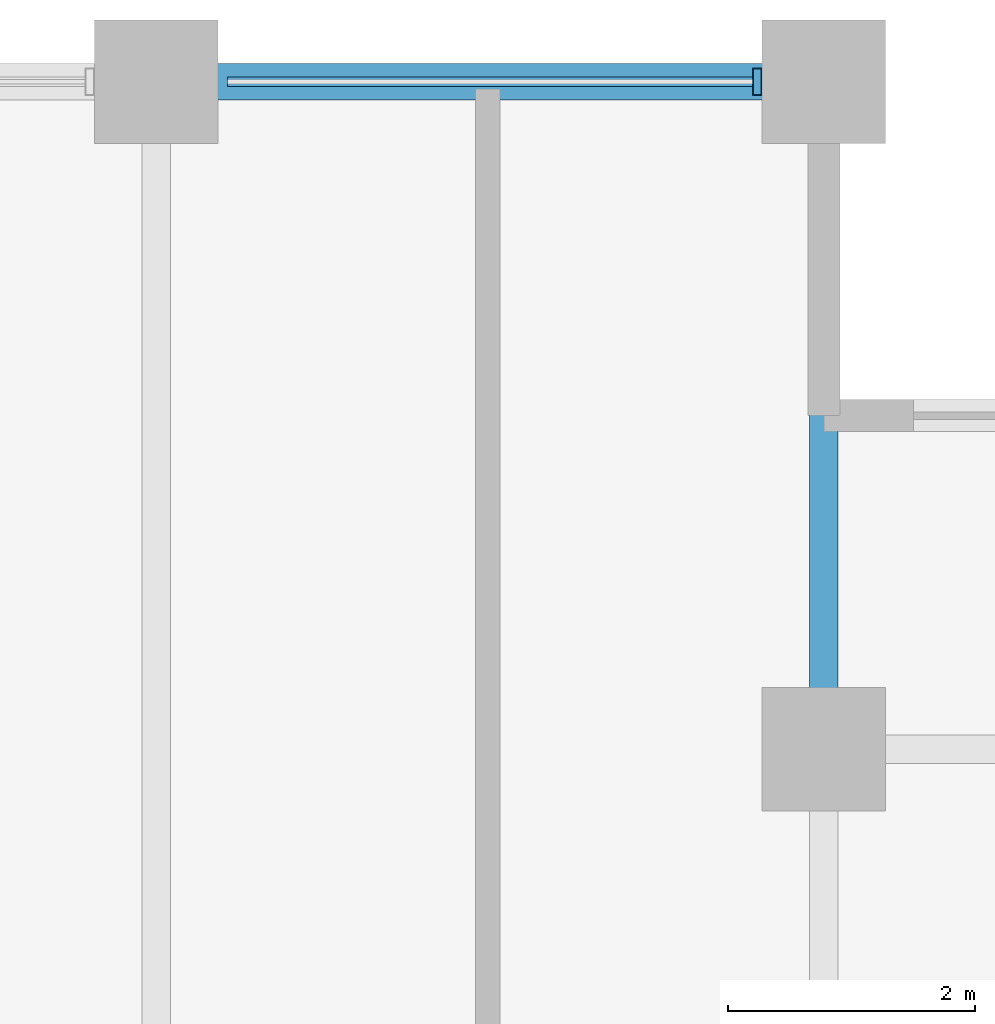
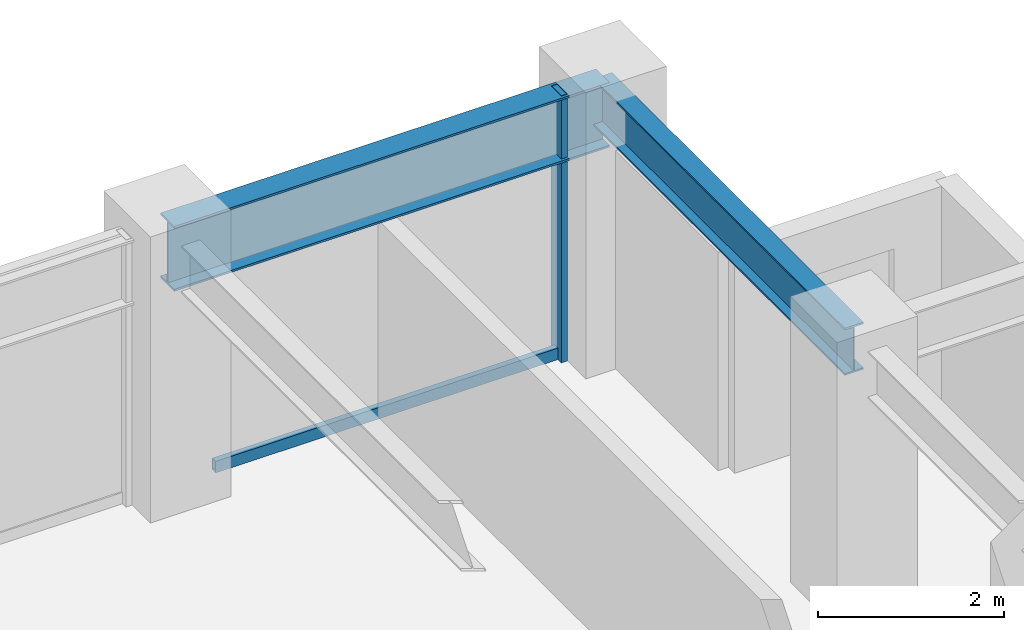
# One storey, part 19 of 29: 2 beams, 2 members, 1 element without a shape of its own.
"""IFC4 building model written with IfcOpenShell, lengths in metres."""

from ifc_helpers import new_model, si_unit, direction, frame, origin, origin_2d, place, context, subcontext, project, spatial, hollow_rectangle, i_section, extrude, material, layer, layer_set, material_profile, profile_set, type_object, element, aggregate, save


model = new_model("IFC4")

# Units and contexts
model_context = context("Model", 3, precision=1e-05, world=origin(), true_north=direction((0.0, 1.0)))
body_context = subcontext(model_context, "Body", "Model", "MODEL_VIEW")
ifc_project = project(units=[si_unit("LENGTHUNIT", "METRE"), si_unit("AREAUNIT", "SQUARE_METRE"), si_unit("VOLUMEUNIT", "CUBIC_METRE"), si_unit("PLANEANGLEUNIT", "RADIAN"), si_unit("MASSUNIT", "GRAM", prefix="KILO")], contexts=[model_context])

# Site, building, storey
site_placement = place(None, origin())
site = spatial("IfcSite", under=ifc_project, at=site_placement, CompositionType="ELEMENT")
building_placement = place(site_placement, origin())
building = spatial("IfcBuilding", under=site, at=building_placement, Name="Surkhivell Harbour Commons", CompositionType="ELEMENT")
storey_placement = place(building_placement, frame((0.0, 0.0, 158.25)))
storey = spatial("IfcBuildingStorey", under=building, at=storey_placement, Name="L41", CompositionType="ELEMENT", Elevation=158.25)

# Beams
ifc_material_1 = material(Name="Steel S355", Category="steel")
ifc_material_profile_1 = material_profile(ifc_material_1, i_section(OverallWidth=0.22998046875, OverallDepth=0.616943359375, WebThickness=0.01318359375, FlangeThickness=0.022216796875, at=origin_2d()), Name="UB610x229x140")
ifc_profile_set_1 = profile_set([ifc_material_profile_1], Name="Steel S355")
beam_type_1 = type_object("IfcBeamType", Name="BM-GRD-610B", PredefinedType="BEAM", material=ifc_profile_set_1)
beam_1_placement = place(storey_placement, frame((16.199951171875, 20.5, 3.19140625), z_axis=(0.0, 1.0, 0.0), x_axis=(-1.0, 0.0, 0.0)))
element("IfcBeam", 1, at=beam_1_placement, inside=storey, type_object=beam_type_1, Name="L41 Floor Girder (16.2,20.5)", PredefinedType="BEAM", context=body_context, shape_type="SweptSolid", body=[
    extrude(i_section(OverallWidth=0.22998046875, OverallDepth=0.616943359375, WebThickness=0.01318359375, FlangeThickness=0.022216796875, at=origin_2d()), origin(), (0.0, 0.0, 1.0), 5.39990234375),
])
ifc_material_2 = material(Name="Steel S460", Category="steel")
ifc_material_profile_2 = material_profile(ifc_material_2, i_section(OverallWidth=0.2939453125, OverallDepth=0.85107421875, WebThickness=0.01611328125, FlangeThickness=0.02685546875, at=origin_2d()), Name="UB838x292x226")
ifc_profile_set_2 = profile_set([ifc_material_profile_2], Name="Steel S460")
beam_type_2 = type_object("IfcBeamType", Name="BM-SPN-838", PredefinedType="SPANDREL", material=ifc_profile_set_2)
beam_2_placement = place(storey_placement, frame((10.800048828125, 25.89990234375, 3.074462890625), z_axis=(1.0, 0.0, 0.0), x_axis=(0.0, 1.0, 0.0)))
element("IfcBeam", 2, at=beam_2_placement, inside=storey, type_object=beam_type_2, Name="L41 Tube Spandrel (10.8,25.9)", PredefinedType="SPANDREL", context=body_context, shape_type="SweptSolid", body=[
    extrude(i_section(OverallWidth=0.2939453125, OverallDepth=0.85107421875, WebThickness=0.01611328125, FlangeThickness=0.02685546875, at=origin_2d()), origin(), (0.0, 0.0, 1.0), 5.39990234375),
])

# Curtain wall, members
ifc_material_3 = material(Name="Anodised pale-metal aluminium and insulated glazing", Category="aluminium")
ifc_layer = layer(ifc_material_3, 0.205078125)
ifc_layer_set = layer_set([ifc_layer], Name="Anodised pale-metal aluminium and insulated glazing")
curtain_wall_type = type_object("IfcCurtainWallType", Name="CW-SYS-Z2", PredefinedType="NOTDEFINED", material=ifc_layer_set)
curtain_wall_placement = place(storey_placement, origin())
curtain_wall = element("IfcCurtainWall", 3, at=curtain_wall_placement, inside=storey, type_object=curtain_wall_type, Name="L41 Curtain Wall CW-L41-E07S1", PredefinedType="NOTDEFINED")
ifc_material_4 = material(Name="Anodised pale-metal aluminium alloy 6063-T6", Category="aluminium")
ifc_material_profile_3 = material_profile(ifc_material_4, hollow_rectangle(XDim=0.074951171875, YDim=0.219970703125, WallThickness=0.00390625, at=origin_2d()), Name="ALU-MULL-75x220")
ifc_profile_set_3 = profile_set([ifc_material_profile_3], Name="Anodised pale-metal aluminium alloy 6063-T6")
member_type_1 = type_object("IfcMemberType", Name="CWM-220", PredefinedType="MULLION", material=ifc_profile_set_3)
member_1_placement = place(storey_placement, frame((15.660400390625, 25.89990234375, 0.0), z_axis=(0.0, 0.0, 1.0), x_axis=(-1.0, 0.0, 0.0)))
member_1 = element("IfcMember", 4, at=member_1_placement, type_object=member_type_1, Name="CW-Z2 mullion 1", PredefinedType="MULLION", context=body_context, shape_type="SweptSolid", body=[
    extrude(hollow_rectangle(XDim=0.074951171875, YDim=0.219970703125, WallThickness=0.00390625, at=origin_2d()), origin(), (0.0, 0.0, 1.0), 3.5),
])
ifc_material_profile_4 = material_profile(ifc_material_4, hollow_rectangle(XDim=0.074951171875, YDim=0.14990234375, WallThickness=0.00341796875, at=origin_2d()), Name="ALU-TRAN-75x150")
ifc_profile_set_4 = profile_set([ifc_material_profile_4], Name="Anodised pale-metal aluminium alloy 6063-T6")
member_type_2 = type_object("IfcMemberType", Name="CWT-150", PredefinedType="USERDEFINED", material=ifc_profile_set_4)
member_2_placement = place(storey_placement, frame((15.623046875, 25.89990234375, 0.074951171875), z_axis=(-1.0, 0.0, 0.0), x_axis=(0.0, -1.0, 0.0)))
member_2 = element("IfcMember", 5, at=member_2_placement, type_object=member_type_2, Name="CW-Z2 transom 1.1", ObjectType="TRANSOM", PredefinedType="USERDEFINED", context=body_context, shape_type="SweptSolid", body=[
    extrude(hollow_rectangle(XDim=0.074951171875, YDim=0.14990234375, WallThickness=0.00341796875, at=origin_2d()), origin(), (0.0, 0.0, 1.0), 4.24609375),
])
aggregate(curtain_wall, [member_1, member_2])

save(model, "model.ifc")
